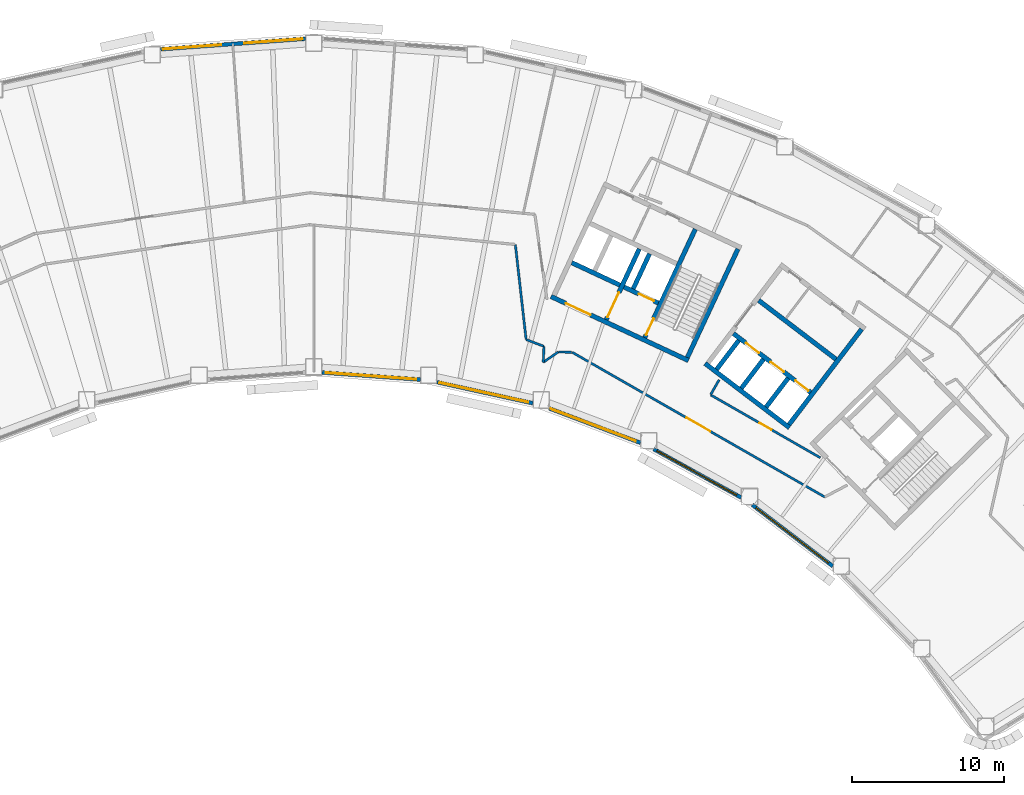
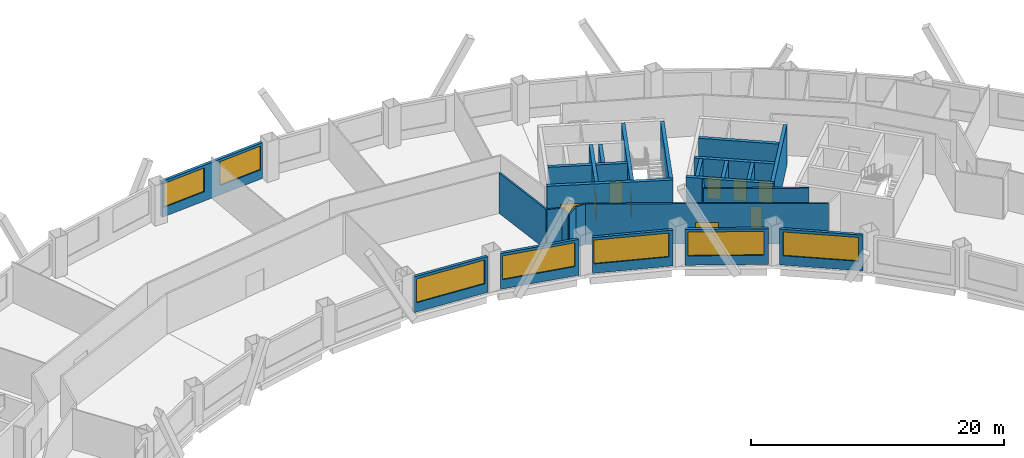
# One storey, part 5 of 11: 28 walls, 9 doors, 7 windows, 16 openings.
"""IFC4 building model written with IfcOpenShell, lengths in metres."""

from ifc_helpers import new_model, si_unit, direction, frame, frame_2d, origin, place, context, subcontext, project, spatial, rectangle, extrude, material, layer, layer_set, type_object, element, fill, save


model = new_model("IFC4")

# Units and contexts
model_context = context("Model", 3, precision=1e-05, world=origin(), true_north=direction((0.0, 1.0)))
body_context = subcontext(model_context, "Body", "Model", "MODEL_VIEW")
ifc_project = project(units=[si_unit("LENGTHUNIT", "METRE"), si_unit("AREAUNIT", "SQUARE_METRE"), si_unit("VOLUMEUNIT", "CUBIC_METRE"), si_unit("PLANEANGLEUNIT", "RADIAN"), si_unit("MASSUNIT", "GRAM", prefix="KILO")], contexts=[model_context])

# Site, building, storey
site_placement = place(None, origin())
site = spatial("IfcSite", under=ifc_project, at=site_placement, CompositionType="ELEMENT")
building_placement = place(site_placement, origin())
building = spatial("IfcBuilding", under=site, at=building_placement, Name="Tuul Gate Civic Tower", CompositionType="ELEMENT")
storey_placement = place(building_placement, frame((0.0, 0.0, 116.10009765625)))
storey = spatial("IfcBuildingStorey", under=building, at=storey_placement, Name="Level 26", CompositionType="ELEMENT", Elevation=116.10009765625)

# Wall, opening, door
ifc_material_1 = material(Name="Concrete C50/60", Category="concrete")
ifc_layer_1 = layer(ifc_material_1, 0.300048828125)
ifc_layer_set_1 = layer_set([ifc_layer_1], Name="Concrete C50/60")
wall_type_1 = type_object("IfcWallType", Name="Core wall C50/60", PredefinedType="SHEAR", material=ifc_layer_set_1)
wall_1_placement = place(storey_placement, frame((34.5283203125, -7.25, 0.0), z_axis=(0.0, 0.0, 1.0), x_axis=(-0.906310338845, 0.422612789327, 0.0)))
wall_1 = element("IfcWall", 1, at=wall_1_placement, inside=storey, type_object=wall_type_1, Name="Core wall", PredefinedType="SHEAR", context=body_context, shape_type="SweptSolid", body=[
    extrude(rectangle(XDim=9.999755859375, YDim=0.300048828125, at=frame_2d((5.0, 0.0))), origin(), (0.0, 0.0, 1.0), 3.89990234375),
])
opening_1_placement = place(wall_1_placement, frame((7.125, 0.0, 0.0)))
opening_1 = element("IfcOpeningElement", 2, at=opening_1_placement, cuts=wall_1, Name="Opening LB-E3-LOBBY-1", PredefinedType="OPENING", context=body_context, shape_type="SweptSolid", body=[
    extrude(rectangle(XDim=1.800048828125, YDim=2.10009765625, at=frame_2d((0.89990234375, 1.050048828125))), frame((0.0, 0.16015625, 0.0), z_axis=(0.0, -1.0, 0.0), x_axis=(1.0, 0.0, 0.0)), (0.0, 0.0, 1.0), 0.320068359375),
])
ifc_material_2 = material(Name="Steel", Category="steel")
door_type_1 = type_object("IfcDoorType", Name="Lobby door", OperationType="DOUBLE_DOOR_SINGLE_SWING", PredefinedType="DOOR", material=ifc_material_2)
door_1_placement = place(opening_1_placement, frame((1.800048828125, 0.0, 0.0), z_axis=(0.0, 0.0, 1.0), x_axis=(-1.0, 0.0, 0.0)))
door_1 = element("IfcDoor", 3, at=door_1_placement, inside=storey, type_object=door_type_1, Name="Lobby door E3-LOBBY", OperationType="DOUBLE_DOOR_SINGLE_SWING", OverallHeight=2.10009765625, OverallWidth=1.800048828125, PredefinedType="DOOR", context=body_context, shape_type="SweptSolid", body=[
    extrude(rectangle(XDim=1.800048828125, YDim=2.10009765625, at=frame_2d((0.900146484375, 1.050048828125))), frame((0.0, 0.02490234375, 0.0), z_axis=(0.0, -1.0, 0.0), x_axis=(1.0, 0.0, 0.0)), (0.0, 0.0, 1.0), 0.050048828125),
])
fill(opening_1, door_1)

wall_2_placement = place(storey_placement, frame((32.545654296875, -3.456787109375, 0.0), z_axis=(0.0, 0.0, 1.0), x_axis=(-0.906300357825, 0.42263419337, 0.0)))
wall_2 = element("IfcWall", 4, at=wall_2_placement, inside=storey, type_object=wall_type_1, Name="Core wall", PredefinedType="SHEAR", context=body_context, shape_type="SweptSolid", body=[
    extrude(rectangle(XDim=2.500244140625, YDim=0.300048828125, at=frame_2d((1.25, 0.0))), origin(), (0.0, 0.0, 1.0), 3.89990234375),
])
opening_2_placement = place(wall_2_placement, frame((0.324951171875, 0.0, 0.0)))
opening_2 = element("IfcOpeningElement", 5, at=opening_2_placement, cuts=wall_2, Name="Opening LD-FF-2", PredefinedType="OPENING", context=body_context, shape_type="SweptSolid", body=[
    extrude(rectangle(XDim=1.10009765625, YDim=2.10009765625, at=frame_2d((0.550048828125, 1.050048828125))), frame((0.0, 0.16015625, 0.0), z_axis=(0.0, -1.0, 0.0), x_axis=(1.0, 0.0, 0.0)), (0.0, 0.0, 1.0), 0.320068359375),
])
ifc_material_3 = material(Name="Stainless steel", Category="steel")
door_type_2 = type_object("IfcDoorType", Name="Landing door", OperationType="DOUBLE_DOOR_SLIDING", PredefinedType="DOOR", material=ifc_material_3)
door_2_placement = place(opening_2_placement, origin())
door_2 = element("IfcDoor", 6, at=door_2_placement, inside=storey, type_object=door_type_2, Name="Fire-fighting lift FF-2 landing door", OperationType="DOUBLE_DOOR_SLIDING", OverallHeight=2.10009765625, OverallWidth=1.10009765625, PredefinedType="DOOR", context=body_context, shape_type="SweptSolid", body=[
    extrude(rectangle(XDim=1.10009765625, YDim=2.10009765625, at=frame_2d((0.550048828125, 1.050048828125))), frame((0.0, 0.02490234375, 0.0), z_axis=(0.0, -1.0, 0.0), x_axis=(1.0, 0.0, 0.0)), (0.0, 0.0, 1.0), 0.050048828125),
])
fill(opening_2, door_2)

# Walls
wall_3_placement = place(storey_placement, frame((30.0078125, -2.2734375, 0.0), z_axis=(0.0, 0.0, 1.0), x_axis=(-0.90630071767, 0.422633421716, 0.0)))
element("IfcWall", 7, at=wall_3_placement, inside=storey, type_object=wall_type_1, Name="Core wall", PredefinedType="SHEAR", context=body_context, shape_type="SweptSolid", body=[
    extrude(rectangle(XDim=3.5, YDim=0.300048828125, at=frame_2d((1.75, 0.0))), origin(), (0.0, 0.0, 1.0), 3.89990234375),
])
wall_4_placement = place(storey_placement, frame((34.455810546875, -7.05078125, 0.0), z_axis=(0.0, 0.0, 1.0), x_axis=(0.422570768258, 0.906329932096, 0.0)))
element("IfcWall", 8, at=wall_4_placement, inside=storey, type_object=wall_type_1, Name="Core wall", PredefinedType="SHEAR", context=body_context, shape_type="SweptSolid", body=[
    extrude(rectangle(XDim=7.900146484375, YDim=0.300048828125, at=frame_2d((3.9501953125, 0.0))), origin(), (0.0, 0.0, 1.0), 3.89990234375),
])

# Wall, opening, door
wall_5_placement = place(storey_placement, frame((31.646240234375, -5.740478515625, 0.0), z_axis=(0.0, 0.0, 1.0), x_axis=(0.422582604137, 0.906324413596, 0.0)))
wall_5 = element("IfcWall", 9, at=wall_5_placement, inside=storey, type_object=wall_type_1, Name="Core wall", PredefinedType="SHEAR", context=body_context, shape_type="SweptSolid", body=[
    extrude(rectangle(XDim=7.89990234375, YDim=0.300048828125, at=frame_2d((3.949951171875, 0.0))), origin(), (0.0, 0.0, 1.0), 3.89990234375),
])
opening_3_placement = place(wall_5_placement, frame((0.199951171875, 0.0, 0.0)))
opening_3 = element("IfcOpeningElement", 10, at=opening_3_placement, cuts=wall_5, Name="Opening SD-ST-4", PredefinedType="OPENING", context=body_context, shape_type="SweptSolid", body=[
    extrude(rectangle(XDim=1.199951171875, YDim=2.10009765625, at=frame_2d((0.60009765625, 1.050048828125))), frame((0.0, 0.16015625, 0.0), z_axis=(0.0, -1.0, 0.0), x_axis=(1.0, 0.0, 0.0)), (0.0, 0.0, 1.0), 0.320068359375),
])
ifc_material_4 = material(Name="Steel", Category="steel")
door_type_3 = type_object("IfcDoorType", Name="Stair door", OperationType="NOTDEFINED", PredefinedType="DOOR", material=ifc_material_4)
door_3_placement = place(opening_3_placement, origin())
door_3 = element("IfcDoor", 11, at=door_3_placement, inside=storey, type_object=door_type_3, Name="Stair door ST-4", OperationType="SINGLE_SWING_LEFT", OverallHeight=2.10009765625, OverallWidth=1.199951171875, PredefinedType="DOOR", context=body_context, shape_type="SweptSolid", body=[
    extrude(rectangle(XDim=1.199951171875, YDim=2.10009765625, at=frame_2d((0.60009765625, 1.050048828125))), frame((0.0, 0.02490234375, 0.0), z_axis=(0.0, -1.0, 0.0), x_axis=(1.0, 0.0, 0.0)), (0.0, 0.0, 1.0), 0.050048828125),
])
fill(opening_3, door_3)

# Wall
wall_6_placement = place(storey_placement, frame((30.886962890625, -2.517822265625, 0.0), z_axis=(0.0, 0.0, 1.0), x_axis=(0.422612891016, 0.906310291427, 0.0)))
element("IfcWall", 12, at=wall_6_placement, inside=storey, type_object=wall_type_1, Name="Core wall", PredefinedType="SHEAR", context=body_context, shape_type="SweptSolid", body=[
    extrude(rectangle(XDim=2.550048828125, YDim=0.300048828125, at=frame_2d((1.27490234375, 0.0))), origin(), (0.0, 0.0, 1.0), 3.89990234375),
])

# Wall, opening, door
wall_7_placement = place(storey_placement, frame((29.108642578125, -4.557373046875, 0.0), z_axis=(0.0, 0.0, 1.0), x_axis=(0.422566235356, 0.90633204552, 0.0)))
wall_7 = element("IfcWall", 13, at=wall_7_placement, inside=storey, type_object=wall_type_1, Name="Core wall", PredefinedType="SHEAR", context=body_context, shape_type="SweptSolid", body=[
    extrude(rectangle(XDim=5.150146484375, YDim=0.300048828125, at=frame_2d((2.5751953125, 0.0))), origin(), (0.0, 0.0, 1.0), 3.89990234375),
])
opening_4_placement = place(wall_7_placement, frame((0.175048828125, 0.0, 0.0)))
opening_4 = element("IfcOpeningElement", 14, at=opening_4_placement, cuts=wall_7, Name="Opening LB-E3-FLOBBY-1", PredefinedType="OPENING", context=body_context, shape_type="SweptSolid", body=[
    extrude(rectangle(XDim=1.800048828125, YDim=2.10009765625, at=frame_2d((0.89990234375, 1.050048828125))), frame((0.0, 0.16015625, 0.0), z_axis=(0.0, -1.0, 0.0), x_axis=(1.0, 0.0, 0.0)), (0.0, 0.0, 1.0), 0.320068359375),
])
door_4_placement = place(opening_4_placement, frame((1.800048828125, 0.0, 0.0), z_axis=(0.0, 0.0, 1.0), x_axis=(-1.0, 0.0, 0.0)))
door_4 = element("IfcDoor", 15, at=door_4_placement, inside=storey, type_object=door_type_1, Name="Lobby door E3-FLOBBY", OperationType="DOUBLE_DOOR_SINGLE_SWING", OverallHeight=2.10009765625, OverallWidth=1.800048828125, PredefinedType="DOOR", context=body_context, shape_type="SweptSolid", body=[
    extrude(rectangle(XDim=1.800048828125, YDim=2.10009765625, at=frame_2d((0.900146484375, 1.050048828125))), frame((0.0, 0.02490234375, 0.0), z_axis=(0.0, -1.0, 0.0), x_axis=(1.0, 0.0, 0.0)), (0.0, 0.0, 1.0), 0.050048828125),
])
fill(opening_4, door_4)

# Walls
ifc_material_5 = material(Name="Gypsum board partition")
ifc_layer_2 = layer(ifc_material_5, 0.14990234375)
ifc_layer_set_2 = layer_set([ifc_layer_2], Name="Gypsum board partition")
wall_type_2 = type_object("IfcWallType", Name="Corridor wall P150", PredefinedType="PARTITIONING", material=ifc_layer_set_2)
wall_8_placement = place(storey_placement, frame((23.116943359375, 0.3876953125, 0.0), z_axis=(0.0, 0.0, 1.0), x_axis=(0.112509252059, -0.99365067715, 0.0)))
element("IfcWall", 16, at=wall_8_placement, inside=storey, type_object=wall_type_2, Name="p056", PredefinedType="PARTITIONING", context=body_context, shape_type="SweptSolid", body=[
    extrude(rectangle(XDim=6.29296875, YDim=0.14990234375, at=frame_2d((3.146484375, 0.0))), origin(), (0.0, 0.0, 1.0), 3.89990234375),
])
wall_9_placement = place(storey_placement, frame((23.824951171875, -5.865234375, 0.0), z_axis=(0.0, 0.0, 1.0), x_axis=(0.934726356021, -0.355368315077, 0.0)))
element("IfcWall", 17, at=wall_9_placement, inside=storey, type_object=wall_type_2, Name="p057", PredefinedType="PARTITIONING", context=body_context, shape_type="SweptSolid", body=[
    extrude(rectangle(XDim=1.246826171875, YDim=0.14990234375, at=frame_2d((0.62353515625, 0.0))), origin(), (0.0, 0.0, 1.0), 3.89990234375),
])
wall_10_placement = place(storey_placement, frame((25.965087890625, -6.678955078125, 0.0), z_axis=(0.0, 0.0, 1.0), x_axis=(0.999492350912, -0.031859699761, 0.0)))
element("IfcWall", 18, at=wall_10_placement, inside=storey, type_object=wall_type_2, Name="p058", PredefinedType="PARTITIONING", context=body_context, shape_type="SweptSolid", body=[
    extrude(rectangle(XDim=0.865966796875, YDim=0.14990234375, at=frame_2d((0.43310546875, 0.0))), origin(), (0.0, 0.0, 1.0), 3.89990234375),
])
wall_11_placement = place(storey_placement, frame((25.001953125, -6.335693359375, 0.0), z_axis=(0.0, 0.0, 1.0), x_axis=(-0.044621701994, -0.999003955804, 0.0)))
element("IfcWall", 19, at=wall_11_placement, inside=storey, type_object=wall_type_2, Name="p060", PredefinedType="PARTITIONING", context=body_context, shape_type="SweptSolid", body=[
    extrude(rectangle(XDim=1.028564453125, YDim=0.14990234375, at=frame_2d((0.51416015625, 0.0))), origin(), (0.0, 0.0, 1.0), 3.89990234375),
])
wall_12_placement = place(storey_placement, frame((24.9560546875, -7.36328125, 0.0), z_axis=(0.0, 0.0, 1.0), x_axis=(0.823681821094, 0.56705225297, 0.0)))
element("IfcWall", 20, at=wall_12_placement, inside=storey, type_object=wall_type_2, Name="p061", PredefinedType="PARTITIONING", context=body_context, shape_type="SweptSolid", body=[
    extrude(rectangle(XDim=1.207275390625, YDim=0.14990234375, at=frame_2d((0.603515625, 0.0))), origin(), (0.0, 0.0, 1.0), 3.89990234375),
])

# Wall, opening, door
wall_13_placement = place(storey_placement, frame((26.8544921875, -6.69921875, 0.0), z_axis=(0.0, 0.0, 1.0), x_axis=(0.867717634908, -0.497057447454, 0.0)))
wall_13 = element("IfcWall", 21, at=wall_13_placement, inside=storey, type_object=wall_type_2, Name="p063", PredefinedType="PARTITIONING", context=body_context, shape_type="SweptSolid", body=[
    extrude(rectangle(XDim=19.201416015625, YDim=0.14990234375, at=frame_2d((9.6005859375, 0.0))), origin(), (0.0, 0.0, 1.0), 3.89990234375),
])
opening_5_placement = place(wall_13_placement, frame((8.70068359375, 0.0, 0.0)))
opening_5 = element("IfcOpeningElement", 22, at=opening_5_placement, cuts=wall_13, Name="Opening H-D11", PredefinedType="OPENING", context=body_context, shape_type="SweptSolid", body=[
    extrude(rectangle(XDim=1.800048828125, YDim=2.10009765625, at=frame_2d((0.89990234375, 1.050048828125))), frame((0.0, 0.0849609375, 0.0), z_axis=(0.0, -1.0, 0.0), x_axis=(1.0, 0.0, 0.0)), (0.0, 0.0, 1.0), 0.169921875),
])
ifc_material_6 = material(Name="Timber door leaf, double", Category="wood")
door_type_4 = type_object("IfcDoorType", Name="Door D18", OperationType="DOUBLE_DOOR_SINGLE_SWING", PredefinedType="DOOR", material=ifc_material_6)
door_5_placement = place(opening_5_placement, frame((1.800048828125, 0.0, 0.0), z_axis=(0.0, 0.0, 1.0), x_axis=(-1.0, 0.0, 0.0)))
door_5 = element("IfcDoor", 23, at=door_5_placement, inside=storey, type_object=door_type_4, Name="Door H-D11", OperationType="DOUBLE_DOOR_SINGLE_SWING", OverallHeight=2.10009765625, OverallWidth=1.800048828125, PredefinedType="DOOR", context=body_context, shape_type="SweptSolid", body=[
    extrude(rectangle(XDim=1.800048828125, YDim=2.10009765625, at=frame_2d((0.900146484375, 1.050048828125))), frame((0.0, 0.02490234375, 0.0), z_axis=(0.0, -1.0, 0.0), x_axis=(1.0, 0.0, 0.0)), (0.0, 0.0, 1.0), 0.050048828125),
])
fill(opening_5, door_5)

wall_14_placement = place(storey_placement, frame((36.00341796875, -9.51953125, 0.0), z_axis=(0.0, 0.0, 1.0), x_axis=(0.867697587438, -0.497092442866, 0.0)))
wall_14 = element("IfcWall", 24, at=wall_14_placement, inside=storey, type_object=wall_type_2, Name="p074", PredefinedType="PARTITIONING", context=body_context, shape_type="SweptSolid", body=[
    extrude(rectangle(XDim=8.32470703125, YDim=0.14990234375, at=frame_2d((4.162353515625, 0.0))), origin(), (0.0, 0.0, 1.0), 3.89990234375),
])
opening_6_placement = place(wall_14_placement, frame((3.71240234375, 0.0, 0.0)))
opening_6 = element("IfcOpeningElement", 25, at=opening_6_placement, cuts=wall_14, Name="Opening H-D14", PredefinedType="OPENING", context=body_context, shape_type="SweptSolid", body=[
    extrude(rectangle(XDim=0.89990234375, YDim=2.10009765625, at=frame_2d((0.449951171875, 1.050048828125))), frame((0.0, 0.0849609375, 0.0), z_axis=(0.0, -1.0, 0.0), x_axis=(1.0, 0.0, 0.0)), (0.0, 0.0, 1.0), 0.169921875),
])
ifc_material_7 = material(Name="Timber door leaf", Category="wood")
door_type_5 = type_object("IfcDoorType", Name="Door D09", OperationType="NOTDEFINED", PredefinedType="DOOR", material=ifc_material_7)
door_6_placement = place(opening_6_placement, frame((0.89990234375, 0.0, 0.0), z_axis=(0.0, 0.0, 1.0), x_axis=(-1.0, 0.0, 0.0)))
door_6 = element("IfcDoor", 26, at=door_6_placement, inside=storey, type_object=door_type_5, Name="Door H-D14", OperationType="SINGLE_SWING_LEFT", OverallHeight=2.10009765625, OverallWidth=0.89990234375, PredefinedType="DOOR", context=body_context, shape_type="SweptSolid", body=[
    extrude(rectangle(XDim=0.89990234375, YDim=2.10009765625, at=frame_2d((0.449951171875, 1.050048828125))), frame((0.0, 0.02490234375, 0.0), z_axis=(0.0, -1.0, 0.0), x_axis=(1.0, 0.0, 0.0)), (0.0, 0.0, 1.0), 0.050048828125),
])
fill(opening_6, door_6)

# Wall
wall_15_placement = place(storey_placement, frame((35.995849609375, -9.4921875, 0.0), z_axis=(0.0, 0.0, 1.0), x_axis=(0.49712568434, 0.867678542992, 0.0)))
element("IfcWall", 27, at=wall_15_placement, inside=storey, type_object=wall_type_2, Name="p075", PredefinedType="PARTITIONING", context=body_context, shape_type="SweptSolid", body=[
    extrude(rectangle(XDim=1.11865234375, YDim=0.14990234375, at=frame_2d((0.559326171875, 0.0))), origin(), (0.0, 0.0, 1.0), 3.89990234375),
])

# Wall, openings, windows
ifc_material_8 = material(Name="Precast concrete C40/50", Category="concrete")
ifc_layer_3 = layer(ifc_material_8, 0.25)
ifc_layer_set_3 = layer_set([ifc_layer_3], Name="Precast concrete C40/50")
wall_type_3 = type_object("IfcWallType", Name="External wall", PredefinedType="STANDARD", material=ifc_layer_set_3)
wall_16_placement = place(storey_placement, frame((9.279052734375, 13.972900390625, 0.0), z_axis=(0.0, 0.0, 1.0), x_axis=(-0.99738031898, -0.072336016692, 0.0)))
wall_16 = element("IfcWall", 28, at=wall_16_placement, inside=storey, type_object=wall_type_3, Name="External wall", PredefinedType="STANDARD", context=body_context, shape_type="SweptSolid", body=[
    extrude(rectangle(XDim=9.5751953125, YDim=0.25, at=frame_2d((4.78759765625, 0.0))), origin(), (0.0, 0.0, 1.0), 3.449951171875),
])
opening_7_placement = place(wall_16_placement, frame((0.2001953125, 0.0, 0.89990234375)))
opening_7 = element("IfcOpeningElement", 29, at=opening_7_placement, cuts=wall_16, Name="Opening W22", PredefinedType="OPENING", context=body_context, shape_type="SweptSolid", body=[
    extrude(rectangle(XDim=3.85009765625, YDim=2.300048828125, at=frame_2d((1.925048828125, 1.14990234375))), frame((0.0, 0.135009765625, 0.0), z_axis=(0.0, -1.0, 0.0), x_axis=(1.0, 0.0, 0.0)), (0.0, 0.0, 1.0), 0.27001953125),
])
opening_8_placement = place(wall_16_placement, frame((5.57177734375, 0.0, 0.89990234375)))
opening_8 = element("IfcOpeningElement", 30, at=opening_8_placement, cuts=wall_16, Name="Opening W22", PredefinedType="OPENING", context=body_context, shape_type="SweptSolid", body=[
    extrude(rectangle(XDim=3.85009765625, YDim=2.300048828125, at=frame_2d((1.925048828125, 1.14990234375))), frame((0.0, 0.135009765625, 0.0), z_axis=(0.0, -1.0, 0.0), x_axis=(1.0, 0.0, 0.0)), (0.0, 0.0, 1.0), 0.27001953125),
])
ifc_material_9 = material(Name="Glass", Category="glass")
window_type_1 = type_object("IfcWindowType", Name="Window W22 3850 x 2300", PartitioningType="SINGLE_PANEL", PredefinedType="WINDOW", material=ifc_material_9)
window_1_placement = place(opening_7_placement, origin())
window_1 = element("IfcWindow", 31, at=window_1_placement, inside=storey, type_object=window_type_1, Name="Window", OverallHeight=2.300048828125, OverallWidth=3.85009765625, PartitioningType="SINGLE_PANEL", PredefinedType="WINDOW", context=body_context, shape_type="SweptSolid", body=[
    extrude(rectangle(XDim=3.85009765625, YDim=2.300048828125, at=frame_2d((1.925048828125, 1.14990234375))), frame((0.0, 0.030029296875, 0.0), z_axis=(0.0, -1.0, 0.0), x_axis=(1.0, 0.0, 0.0)), (0.0, 0.0, 1.0), 0.06005859375),
])
fill(opening_7, window_1)
window_2_placement = place(opening_8_placement, origin())
window_2 = element("IfcWindow", 32, at=window_2_placement, inside=storey, type_object=window_type_1, Name="Window", OverallHeight=2.300048828125, OverallWidth=3.85009765625, PartitioningType="SINGLE_PANEL", PredefinedType="WINDOW", context=body_context, shape_type="SweptSolid", body=[
    extrude(rectangle(XDim=3.85009765625, YDim=2.300048828125, at=frame_2d((1.925048828125, 1.14990234375))), frame((0.0, 0.030029296875, 0.0), z_axis=(0.0, -1.0, 0.0), x_axis=(1.0, 0.0, 0.0)), (0.0, 0.0, 1.0), 0.06005859375),
])
fill(opening_8, window_2)

# Wall, opening, window
wall_17_placement = place(storey_placement, frame((10.37890625, -8.035400390625, 0.0), z_axis=(0.0, 0.0, 1.0), x_axis=(0.997392965156, -0.072161437464, 0.0)))
wall_17 = element("IfcWall", 33, at=wall_17_placement, inside=storey, type_object=wall_type_3, Name="External wall", PredefinedType="STANDARD", context=body_context, shape_type="SweptSolid", body=[
    extrude(rectangle(XDim=6.489013671875, YDim=0.25, at=frame_2d((3.24462890625, 0.0))), origin(), (0.0, 0.0, 1.0), 3.449951171875),
])
opening_9_placement = place(wall_17_placement, frame((0.220947265625, 0.0, 0.89990234375)))
opening_9 = element("IfcOpeningElement", 34, at=opening_9_placement, cuts=wall_17, Name="Opening W26", PredefinedType="OPENING", context=body_context, shape_type="SweptSolid", body=[
    extrude(rectangle(XDim=6.0, YDim=2.300048828125, at=frame_2d((3.0, 1.14990234375))), frame((0.0, 0.135009765625, 0.0), z_axis=(0.0, -1.0, 0.0), x_axis=(1.0, 0.0, 0.0)), (0.0, 0.0, 1.0), 0.27001953125),
])
ifc_material_10 = material(Name="Glass", Category="glass")
window_type_2 = type_object("IfcWindowType", Name="Window W26 6000 x 2300", PartitioningType="SINGLE_PANEL", PredefinedType="WINDOW", material=ifc_material_10)
window_3_placement = place(opening_9_placement, origin())
window_3 = element("IfcWindow", 35, at=window_3_placement, inside=storey, type_object=window_type_2, Name="Window", OverallHeight=2.300048828125, OverallWidth=6.0, PartitioningType="SINGLE_PANEL", PredefinedType="WINDOW", context=body_context, shape_type="SweptSolid", body=[
    extrude(rectangle(XDim=6.0, YDim=2.300048828125, at=frame_2d((3.0, 1.14990234375))), frame((0.0, 0.030029296875, 0.0), z_axis=(0.0, -1.0, 0.0), x_axis=(1.0, 0.0, 0.0)), (0.0, 0.0, 1.0), 0.06005859375),
])
fill(opening_9, window_3)

wall_18_placement = place(storey_placement, frame((17.950927734375, -8.671630859375, 0.0), z_axis=(0.0, 0.0, 1.0), x_axis=(0.976562304854, -0.215234905949, 0.0)))
wall_18 = element("IfcWall", 36, at=wall_18_placement, inside=storey, type_object=wall_type_3, Name="External wall", PredefinedType="STANDARD", context=body_context, shape_type="SweptSolid", body=[
    extrude(rectangle(XDim=6.465576171875, YDim=0.25, at=frame_2d((3.23291015625, 0.0))), origin(), (0.0, 0.0, 1.0), 3.449951171875),
])
opening_10_placement = place(wall_18_placement, frame((0.160888671875, 0.0, 0.89990234375)))
opening_10 = element("IfcOpeningElement", 37, at=opening_10_placement, cuts=wall_18, Name="Opening W26", PredefinedType="OPENING", context=body_context, shape_type="SweptSolid", body=[
    extrude(rectangle(XDim=6.0, YDim=2.300048828125, at=frame_2d((3.0, 1.14990234375))), frame((0.0, 0.135009765625, 0.0), z_axis=(0.0, -1.0, 0.0), x_axis=(1.0, 0.0, 0.0)), (0.0, 0.0, 1.0), 0.27001953125),
])
window_4_placement = place(opening_10_placement, origin())
window_4 = element("IfcWindow", 38, at=window_4_placement, inside=storey, type_object=window_type_2, Name="Window", OverallHeight=2.300048828125, OverallWidth=6.0, PartitioningType="SINGLE_PANEL", PredefinedType="WINDOW", context=body_context, shape_type="SweptSolid", body=[
    extrude(rectangle(XDim=6.0, YDim=2.300048828125, at=frame_2d((3.0, 1.14990234375))), frame((0.0, 0.030029296875, 0.0), z_axis=(0.0, -1.0, 0.0), x_axis=(1.0, 0.0, 0.0)), (0.0, 0.0, 1.0), 0.06005859375),
])
fill(opening_10, window_4)

wall_19_placement = place(storey_placement, frame((25.3515625, -10.402099609375, 0.0), z_axis=(0.0, 0.0, 1.0), x_axis=(0.93537217804, -0.353664938252, 0.0)))
wall_19 = element("IfcWall", 39, at=wall_19_placement, inside=storey, type_object=wall_type_3, Name="External wall", PredefinedType="STANDARD", context=body_context, shape_type="SweptSolid", body=[
    extrude(rectangle(XDim=6.428955078125, YDim=0.25, at=frame_2d((3.21435546875, 0.0))), origin(), (0.0, 0.0, 1.0), 3.449951171875),
])
opening_11_placement = place(wall_19_placement, frame((0.09912109375, 0.0, 0.89990234375)))
opening_11 = element("IfcOpeningElement", 40, at=opening_11_placement, cuts=wall_19, Name="Opening W26", PredefinedType="OPENING", context=body_context, shape_type="SweptSolid", body=[
    extrude(rectangle(XDim=6.0, YDim=2.300048828125, at=frame_2d((3.0, 1.14990234375))), frame((0.0, 0.135009765625, 0.0), z_axis=(0.0, -1.0, 0.0), x_axis=(1.0, 0.0, 0.0)), (0.0, 0.0, 1.0), 0.27001953125),
])
window_5_placement = place(opening_11_placement, origin())
window_5 = element("IfcWindow", 41, at=window_5_placement, inside=storey, type_object=window_type_2, Name="Window", OverallHeight=2.300048828125, OverallWidth=6.0, PartitioningType="SINGLE_PANEL", PredefinedType="WINDOW", context=body_context, shape_type="SweptSolid", body=[
    extrude(rectangle(XDim=6.0, YDim=2.300048828125, at=frame_2d((3.0, 1.14990234375))), frame((0.0, 0.030029296875, 0.0), z_axis=(0.0, -1.0, 0.0), x_axis=(1.0, 0.0, 0.0)), (0.0, 0.0, 1.0), 0.06005859375),
])
fill(opening_11, window_5)

wall_20_placement = place(storey_placement, frame((32.23828125, -13.0869140625, 0.0), z_axis=(0.0, 0.0, 1.0), x_axis=(0.87460054833, -0.484844182042, 0.0)))
wall_20 = element("IfcWall", 42, at=wall_20_placement, inside=storey, type_object=wall_type_3, Name="External wall", PredefinedType="STANDARD", context=body_context, shape_type="SweptSolid", body=[
    extrude(rectangle(XDim=6.593505859375, YDim=0.25, at=frame_2d((3.296875, 0.0))), origin(), (0.0, 0.0, 1.0), 3.449951171875),
])
opening_12_placement = place(wall_20_placement, frame((0.2470703125, 0.0, 0.89990234375)))
opening_12 = element("IfcOpeningElement", 43, at=opening_12_placement, cuts=wall_20, Name="Opening W26", PredefinedType="OPENING", context=body_context, shape_type="SweptSolid", body=[
    extrude(rectangle(XDim=6.0, YDim=2.300048828125, at=frame_2d((3.0, 1.14990234375))), frame((0.0, 0.135009765625, 0.0), z_axis=(0.0, -1.0, 0.0), x_axis=(1.0, 0.0, 0.0)), (0.0, 0.0, 1.0), 0.27001953125),
])
window_6_placement = place(opening_12_placement, origin())
window_6 = element("IfcWindow", 44, at=window_6_placement, inside=storey, type_object=window_type_2, Name="Window", OverallHeight=2.300048828125, OverallWidth=6.0, PartitioningType="SINGLE_PANEL", PredefinedType="WINDOW", context=body_context, shape_type="SweptSolid", body=[
    extrude(rectangle(XDim=6.0, YDim=2.300048828125, at=frame_2d((3.0, 1.14990234375))), frame((0.0, 0.030029296875, 0.0), z_axis=(0.0, -1.0, 0.0), x_axis=(1.0, 0.0, 0.0)), (0.0, 0.0, 1.0), 0.06005859375),
])
fill(opening_12, window_6)

wall_21_placement = place(storey_placement, frame((38.74267578125, -16.76806640625, 0.0), z_axis=(0.0, 0.0, 1.0), x_axis=(0.795574625886, -0.605855605442, 0.0)))
wall_21 = element("IfcWall", 45, at=wall_21_placement, inside=storey, type_object=wall_type_3, Name="External wall", PredefinedType="STANDARD", context=body_context, shape_type="SweptSolid", body=[
    extrude(rectangle(XDim=6.666015625, YDim=0.25, at=frame_2d((3.3330078125, 0.0))), origin(), (0.0, 0.0, 1.0), 3.449951171875),
])
opening_13_placement = place(wall_21_placement, frame((0.313232421875, 0.0, 0.89990234375)))
opening_13 = element("IfcOpeningElement", 46, at=opening_13_placement, cuts=wall_21, Name="Opening W26", PredefinedType="OPENING", context=body_context, shape_type="SweptSolid", body=[
    extrude(rectangle(XDim=6.0, YDim=2.300048828125, at=frame_2d((3.0, 1.14990234375))), frame((0.0, 0.135009765625, 0.0), z_axis=(0.0, -1.0, 0.0), x_axis=(1.0, 0.0, 0.0)), (0.0, 0.0, 1.0), 0.27001953125),
])
window_7_placement = place(opening_13_placement, origin())
window_7 = element("IfcWindow", 47, at=window_7_placement, inside=storey, type_object=window_type_2, Name="Window", OverallHeight=2.300048828125, OverallWidth=6.0, PartitioningType="SINGLE_PANEL", PredefinedType="WINDOW", context=body_context, shape_type="SweptSolid", body=[
    extrude(rectangle(XDim=6.0, YDim=2.300048828125, at=frame_2d((3.0, 1.14990234375))), frame((0.0, 0.030029296875, 0.0), z_axis=(0.0, -1.0, 0.0), x_axis=(1.0, 0.0, 0.0)), (0.0, 0.0, 1.0), 0.06005859375),
])
fill(opening_13, window_7)

# Wall
ifc_material_11 = material(Name="Concrete C40/50", Category="concrete")
ifc_layer_4 = layer(ifc_material_11, 0.300048828125)
ifc_layer_set_4 = layer_set([ifc_layer_4], Name="Concrete C40/50")
wall_type_4 = type_object("IfcWallType", Name="Lift shaft wall C40/50", PredefinedType="STANDARD", material=ifc_layer_set_4)
wall_22_placement = place(storey_placement, frame((41.19189453125, -11.677734375, 0.0), z_axis=(0.0, 0.0, 1.0), x_axis=(-0.795563000331, 0.605870871147, 0.0)))
element("IfcWall", 48, at=wall_22_placement, inside=storey, type_object=wall_type_4, Name="Shaft wall", PredefinedType="STANDARD", context=body_context, shape_type="SweptSolid", body=[
    extrude(rectangle(XDim=7.000244140625, YDim=0.300048828125, at=frame_2d((3.5, 0.0))), origin(), (0.0, 0.0, 1.0), 3.89990234375),
])

# Wall, openings, doors
wall_23_placement = place(storey_placement, frame((42.5888671875, -9.34765625, 0.0), z_axis=(0.0, 0.0, 1.0), x_axis=(-0.795584062101, 0.605843214149, 0.0)))
wall_23 = element("IfcWall", 49, at=wall_23_placement, inside=storey, type_object=wall_type_4, Name="Shaft wall", PredefinedType="STANDARD", context=body_context, shape_type="SweptSolid", body=[
    extrude(rectangle(XDim=6.400146484375, YDim=0.300048828125, at=frame_2d((3.2001953125, 0.0))), origin(), (0.0, 0.0, 1.0), 3.89990234375),
])
opening_14_placement = place(wall_23_placement, frame((0.175048828125, 0.0, 0.0)))
opening_14 = element("IfcOpeningElement", 50, at=opening_14_placement, cuts=wall_23, Name="Opening LD-L1", PredefinedType="OPENING", context=body_context, shape_type="SweptSolid", body=[
    extrude(rectangle(XDim=1.10009765625, YDim=2.10009765625, at=frame_2d((0.550048828125, 1.050048828125))), frame((0.0, 0.16015625, 0.0), z_axis=(0.0, -1.0, 0.0), x_axis=(1.0, 0.0, 0.0)), (0.0, 0.0, 1.0), 0.320068359375),
])
opening_15_placement = place(wall_23_placement, frame((2.22509765625, 0.0, 0.0)))
opening_15 = element("IfcOpeningElement", 51, at=opening_15_placement, cuts=wall_23, Name="Opening LD-L2", PredefinedType="OPENING", context=body_context, shape_type="SweptSolid", body=[
    extrude(rectangle(XDim=1.10009765625, YDim=2.10009765625, at=frame_2d((0.550048828125, 1.050048828125))), frame((0.0, 0.16015625, 0.0), z_axis=(0.0, -1.0, 0.0), x_axis=(1.0, 0.0, 0.0)), (0.0, 0.0, 1.0), 0.320068359375),
])
opening_16_placement = place(wall_23_placement, frame((4.27490234375, 0.0, 0.0)))
opening_16 = element("IfcOpeningElement", 52, at=opening_16_placement, cuts=wall_23, Name="Opening LD-L3", PredefinedType="OPENING", context=body_context, shape_type="SweptSolid", body=[
    extrude(rectangle(XDim=1.10009765625, YDim=2.10009765625, at=frame_2d((0.550048828125, 1.050048828125))), frame((0.0, 0.16015625, 0.0), z_axis=(0.0, -1.0, 0.0), x_axis=(1.0, 0.0, 0.0)), (0.0, 0.0, 1.0), 0.320068359375),
])
door_7_placement = place(opening_14_placement, origin())
door_7 = element("IfcDoor", 53, at=door_7_placement, inside=storey, type_object=door_type_2, Name="Low-rise lift L1 landing door", OperationType="DOUBLE_DOOR_SLIDING", OverallHeight=2.10009765625, OverallWidth=1.10009765625, PredefinedType="DOOR", context=body_context, shape_type="SweptSolid", body=[
    extrude(rectangle(XDim=1.10009765625, YDim=2.10009765625, at=frame_2d((0.550048828125, 1.050048828125))), frame((0.0, 0.02490234375, 0.0), z_axis=(0.0, -1.0, 0.0), x_axis=(1.0, 0.0, 0.0)), (0.0, 0.0, 1.0), 0.050048828125),
])
fill(opening_14, door_7)
door_8_placement = place(opening_15_placement, origin())
door_8 = element("IfcDoor", 54, at=door_8_placement, inside=storey, type_object=door_type_2, Name="Low-rise lift L2 landing door", OperationType="DOUBLE_DOOR_SLIDING", OverallHeight=2.10009765625, OverallWidth=1.10009765625, PredefinedType="DOOR", context=body_context, shape_type="SweptSolid", body=[
    extrude(rectangle(XDim=1.10009765625, YDim=2.10009765625, at=frame_2d((0.550048828125, 1.050048828125))), frame((0.0, 0.02490234375, 0.0), z_axis=(0.0, -1.0, 0.0), x_axis=(1.0, 0.0, 0.0)), (0.0, 0.0, 1.0), 0.050048828125),
])
fill(opening_15, door_8)
door_9_placement = place(opening_16_placement, origin())
door_9 = element("IfcDoor", 55, at=door_9_placement, inside=storey, type_object=door_type_2, Name="Low-rise lift L3 landing door", OperationType="DOUBLE_DOOR_SLIDING", OverallHeight=2.10009765625, OverallWidth=1.10009765625, PredefinedType="DOOR", context=body_context, shape_type="SweptSolid", body=[
    extrude(rectangle(XDim=1.10009765625, YDim=2.10009765625, at=frame_2d((0.550048828125, 1.050048828125))), frame((0.0, 0.02490234375, 0.0), z_axis=(0.0, -1.0, 0.0), x_axis=(1.0, 0.0, 0.0)), (0.0, 0.0, 1.0), 0.050048828125),
])
fill(opening_16, door_9)

# Walls
wall_24_placement = place(storey_placement, frame((44.254638671875, -7.15966796875, 0.0), z_axis=(0.0, 0.0, 1.0), x_axis=(-0.795565675562, 0.605867358312, 0.0)))
element("IfcWall", 56, at=wall_24_placement, inside=storey, type_object=wall_type_4, Name="Shaft wall", PredefinedType="STANDARD", context=body_context, shape_type="SweptSolid", body=[
    extrude(rectangle(XDim=6.400146484375, YDim=0.300048828125, at=frame_2d((3.2001953125, 0.0))), origin(), (0.0, 0.0, 1.0), 3.89990234375),
])
wall_25_placement = place(storey_placement, frame((41.163330078125, -11.46728515625, 0.0), z_axis=(0.0, 0.0, 1.0), x_axis=(0.605784332699, 0.795628897324, 0.0)))
element("IfcWall", 57, at=wall_25_placement, inside=storey, type_object=wall_type_4, Name="Shaft wall", PredefinedType="STANDARD", context=body_context, shape_type="SweptSolid", body=[
    extrude(rectangle(XDim=7.89990234375, YDim=0.300048828125, at=frame_2d((3.949951171875, 0.0))), origin(), (0.0, 0.0, 1.0), 3.89990234375),
])
wall_26_placement = place(storey_placement, frame((39.65185546875, -10.31640625, 0.0), z_axis=(0.0, 0.0, 1.0), x_axis=(0.605745892068, 0.79565816419, 0.0)))
element("IfcWall", 58, at=wall_26_placement, inside=storey, type_object=wall_type_4, Name="Shaft wall", PredefinedType="STANDARD", context=body_context, shape_type="SweptSolid", body=[
    extrude(rectangle(XDim=2.400146484375, YDim=0.300048828125, at=frame_2d((1.2001953125, 0.0))), origin(), (0.0, 0.0, 1.0), 3.89990234375),
])
wall_27_placement = place(storey_placement, frame((38.02099609375, -9.07421875, 0.0), z_axis=(0.0, 0.0, 1.0), x_axis=(0.605730519254, 0.795669867498, 0.0)))
element("IfcWall", 59, at=wall_27_placement, inside=storey, type_object=wall_type_4, Name="Shaft wall", PredefinedType="STANDARD", context=body_context, shape_type="SweptSolid", body=[
    extrude(rectangle(XDim=2.399658203125, YDim=0.300048828125, at=frame_2d((1.19970703125, 0.0))), origin(), (0.0, 0.0, 1.0), 3.89990234375),
])
wall_28_placement = place(storey_placement, frame((36.389892578125, -7.832275390625, 0.0), z_axis=(0.0, 0.0, 1.0), x_axis=(0.605745892068, 0.79565816419, 0.0)))
element("IfcWall", 60, at=wall_28_placement, inside=storey, type_object=wall_type_4, Name="Shaft wall", PredefinedType="STANDARD", context=body_context, shape_type="SweptSolid", body=[
    extrude(rectangle(XDim=2.400146484375, YDim=0.300048828125, at=frame_2d((1.2001953125, 0.0))), origin(), (0.0, 0.0, 1.0), 3.89990234375),
])

save(model, "model.ifc")
